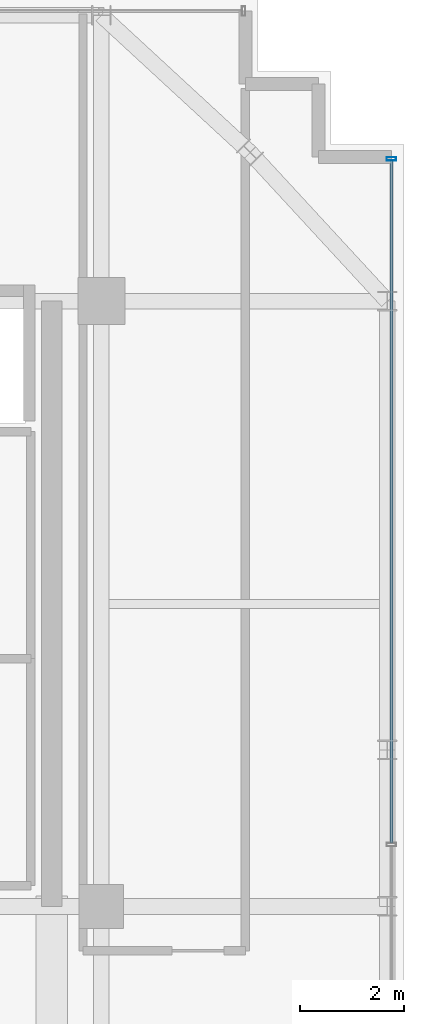
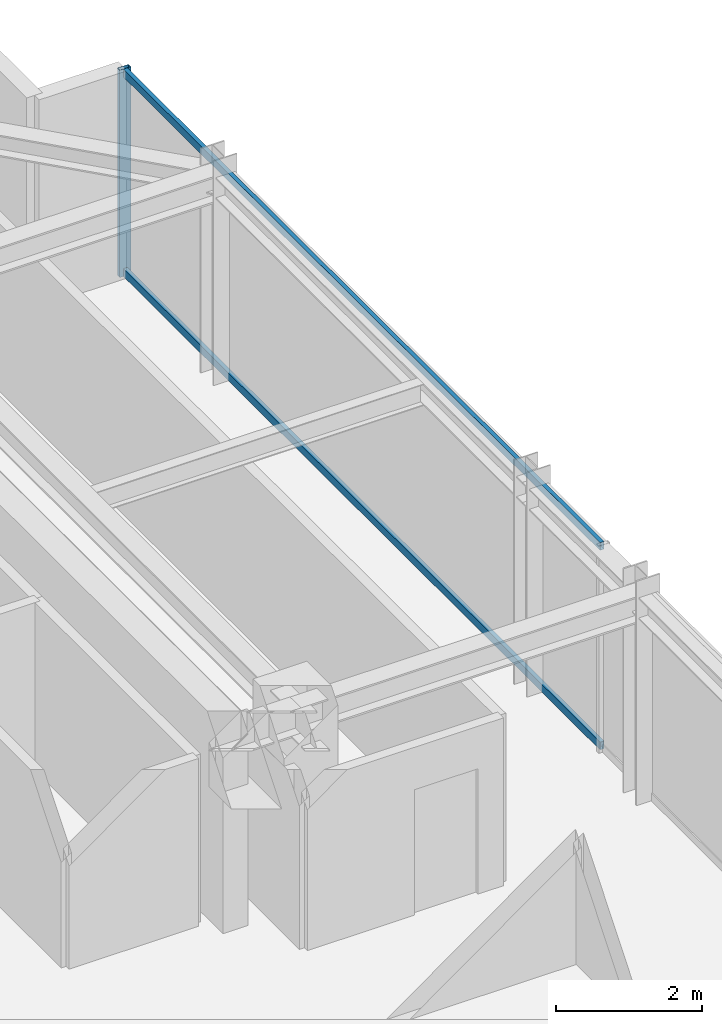
# One storey, part 26 of 34: 3 members, 1 element without a shape of its own.
"""IFC4 building model written with IfcOpenShell, lengths in metres."""

from ifc_helpers import new_model, si_unit, direction, frame, origin, origin_2d, place, context, subcontext, project, spatial, hollow_rectangle, extrude, source, transform, mapped, material, material_profile, profile_set, type_object, element, aggregate, save


model = new_model("IFC4")

# Units and contexts
model_context = context("Model", 3, precision=1e-05, world=origin(), true_north=direction((0.0, 1.0)))
body_context = subcontext(model_context, "Body", "Model", "MODEL_VIEW")
ifc_project = project(units=[si_unit("LENGTHUNIT", "METRE"), si_unit("AREAUNIT", "SQUARE_METRE"), si_unit("VOLUMEUNIT", "CUBIC_METRE"), si_unit("PLANEANGLEUNIT", "RADIAN"), si_unit("MASSUNIT", "GRAM", prefix="KILO")], contexts=[model_context])

# Site, building, storey
site_placement = place(None, origin())
site = spatial("IfcSite", under=ifc_project, at=site_placement, CompositionType="ELEMENT")
building_placement = place(site_placement, origin())
building = spatial("IfcBuilding", under=site, at=building_placement, Name="Nahalor Promenade Grand Hotel", CompositionType="ELEMENT")
storey_placement = place(building_placement, frame((0.0, 0.0, 334.75)))
storey = spatial("IfcBuildingStorey", under=building, at=storey_placement, Name="L86", CompositionType="ELEMENT", Elevation=334.75)

# Curtain wall, members
ifc_material = material(Name="Anodised Bronze Aluminium EN AW-6063 T6", Category="aluminium")
curtain_wall_type = type_object("IfcCurtainWallType", Name="CW2 Typical Hotel Flush Bronze Unitised Curtain Wall", PredefinedType="USERDEFINED", material=ifc_material)
curtain_wall_placement = place(storey_placement, origin())
curtain_wall = element("IfcCurtainWall", 1, at=curtain_wall_placement, inside=storey, type_object=curtain_wall_type, Name="L86 Curtain Wall CW-L86-E-1", ObjectType="UNITISED_CURTAIN_WALL", PredefinedType="USERDEFINED")
ifc_material_profile_1 = material_profile(ifc_material, hollow_rectangle(XDim=0.065, YDim=0.13, WallThickness=0.004, at=origin_2d()), Name="CWT 65x130x4")
ifc_profile_set_1 = profile_set([ifc_material_profile_1], Name="Anodised Bronze Aluminium EN AW-6063 T6")
member_type_1 = type_object("IfcMemberType", Name="CWT2 Typical Bronze Transom 65x130", PredefinedType="USERDEFINED", material=ifc_profile_set_1)
shared_shape_1 = source(origin(), body_context, "Body", "SweptSolid", [
    extrude(hollow_rectangle(XDim=0.065, YDim=0.13, WallThickness=0.004, at=origin_2d()), origin(), (0.0, 0.0, 1.0), 13.075927734375),
])
member_1_placement = place(storey_placement, frame((22.56005859375, 6.619140625, 0.06494140625), z_axis=(0.0, 1.0, 0.0), x_axis=(-1.0, 0.0, 0.0)))
member_1 = element("IfcMember", 2, at=member_1_placement, type_object=member_type_1, Name="CW-L86-E-1 Transom 2-0", ObjectType="TRANSOM", PredefinedType="USERDEFINED", context=body_context, shape_type="MappedRepresentation", body=[
    mapped(shared_shape_1, transform((0.0, 0.0, 0.0), scale=1.0)),
])
member_2_placement = place(storey_placement, frame((22.56005859375, 6.619140625, 3.405029296875), z_axis=(0.0, 1.0, 0.0), x_axis=(-1.0, 0.0, 0.0)))
member_2 = element("IfcMember", 3, at=member_2_placement, type_object=member_type_1, Name="CW-L86-E-1 Transom 2-1", ObjectType="TRANSOM", PredefinedType="USERDEFINED", context=body_context, shape_type="MappedRepresentation", body=[
    mapped(shared_shape_1, transform((0.0, 0.0, 0.0), scale=1.0)),
])
ifc_material_profile_2 = material_profile(ifc_material, hollow_rectangle(XDim=0.065, YDim=0.18, WallThickness=0.004, at=origin_2d()), Name="CWM 65x180x4")
ifc_profile_set_2 = profile_set([ifc_material_profile_2], Name="Anodised Bronze Aluminium EN AW-6063 T6")
member_type_2 = type_object("IfcMemberType", Name="CWM2 Typical Bronze Mullion 65x180", PredefinedType="MULLION", material=ifc_profile_set_2)
shared_shape_2 = source(origin(), body_context, "Body", "SweptSolid", [
    extrude(hollow_rectangle(XDim=0.065, YDim=0.18, WallThickness=0.004, at=origin_2d()), origin(), (0.0, 0.0, 1.0), 3.469970703125),
])
member_3_placement = place(storey_placement, frame((22.56005859375, 19.7275390625, 0.0), z_axis=(0.0, 0.0, 1.0), x_axis=(0.0, 1.0, 0.0)))
member_3 = element("IfcMember", 4, at=member_3_placement, type_object=member_type_2, Name="CW-L86-E-1 Mullion 3", PredefinedType="MULLION", context=body_context, shape_type="MappedRepresentation", body=[
    mapped(shared_shape_2, transform((0.0, 0.0, 0.0), scale=1.0)),
])
aggregate(curtain_wall, [member_3, member_1, member_2])

save(model, "model.ifc")
